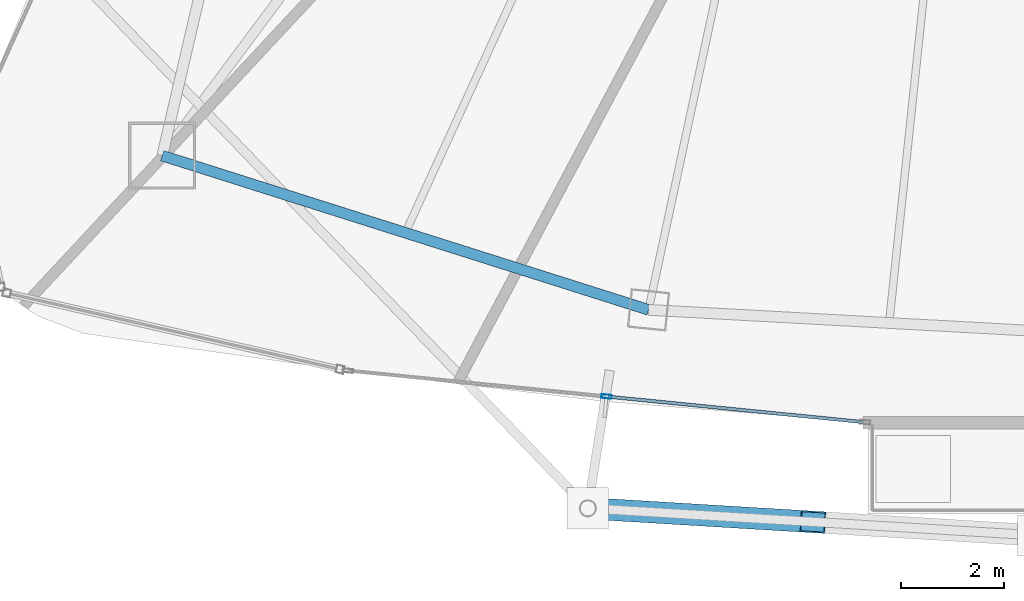
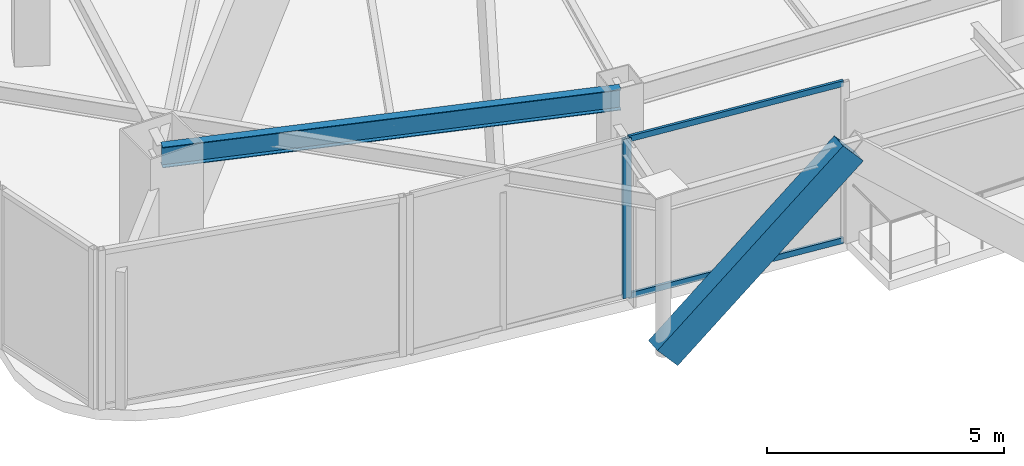
# One storey, part 3 of 25: 4 members, 1 beam, 1 element without a shape of its own.
"""IFC4 building model written with IfcOpenShell, lengths in metres."""

from ifc_helpers import new_model, si_unit, direction, frame, origin, origin_2d, place, context, subcontext, project, spatial, hollow_rectangle, i_section, extrude, material, layer, layer_set, material_profile, profile_set, type_object, element, aggregate, save


model = new_model("IFC4")

# Units and contexts
model_context = context("Model", 3, precision=1e-05, world=origin(), true_north=direction((0.0, 1.0)))
body_context = subcontext(model_context, "Body", "Model", "MODEL_VIEW")
ifc_project = project(units=[si_unit("LENGTHUNIT", "METRE"), si_unit("AREAUNIT", "SQUARE_METRE"), si_unit("VOLUMEUNIT", "CUBIC_METRE"), si_unit("PLANEANGLEUNIT", "RADIAN"), si_unit("MASSUNIT", "GRAM", prefix="KILO")], contexts=[model_context])

# Site, building, storey
site_placement = place(None, origin())
site = spatial("IfcSite", under=ifc_project, at=site_placement, CompositionType="ELEMENT")
building_placement = place(site_placement, origin())
building = spatial("IfcBuilding", under=site, at=building_placement, Name="Orvanel Arch Residences", CompositionType="ELEMENT")
storey_placement = place(building_placement, frame((0.0, 0.0, 236.0)))
storey = spatial("IfcBuildingStorey", under=building, at=storey_placement, Name="L67", CompositionType="ELEMENT", Elevation=236.0)

# Member
ifc_material_1 = material(Name="Structural steel AS/NZS 3678 Grade 350", Category="steel")
ifc_material_profile_1 = material_profile(ifc_material_1, hollow_rectangle(XDim=0.419921875, YDim=0.719970703125, WallThickness=0.02490234375, at=origin_2d()), Name="RHS720x420x25")
ifc_profile_set_1 = profile_set([ifc_material_profile_1], Name="Structural steel AS/NZS 3678 Grade 350")
member_type_1 = type_object("IfcMemberType", Name="BR-720RHS-EXT", PredefinedType="BRACE", material=ifc_profile_set_1)
member_1_placement = place(storey_placement, frame((22.469970703125, 3.498046875, 0.0), z_axis=(0.745120378604, -0.044989969288, 0.66541079346), x_axis=(0.060269702219, 0.99818212917, 0.0)))
element("IfcMember", 1, at=member_1_placement, inside=storey, type_object=member_type_1, Name="L67 Exterior Sky-Garden V-Frame Chevron F2B1.1", PredefinedType="BRACE", context=body_context, shape_type="SweptSolid", body=[
    extrude(hollow_rectangle(XDim=0.419921875, YDim=0.719970703125, WallThickness=0.02490234375, at=origin_2d()), origin(), (0.0, 0.0, 1.0), 5.87158203125),
])

# Curtain wall, member
ifc_material_2 = material(Name="Bronze-anodised aluminium AA6063-T6", Category="aluminium")
ifc_layer = layer(ifc_material_2, 0.195068359375)
ifc_layer_set = layer_set([ifc_layer], Name="Bronze-anodised aluminium AA6063-T6")
curtain_wall_type = type_object("IfcCurtainWallType", Name="CW6-COM-SYS", PredefinedType="NOTDEFINED", material=ifc_layer_set)
curtain_wall_placement = place(storey_placement, origin())
curtain_wall = element("IfcCurtainWall", 2, at=curtain_wall_placement, inside=storey, type_object=curtain_wall_type, Name="L67 CW6-COM-SYS Unitised Curtain Wall", PredefinedType="NOTDEFINED")
ifc_material_profile_2 = material_profile(ifc_material_2, hollow_rectangle(XDim=0.074951171875, YDim=0.199951171875, WallThickness=0.0048828125, at=origin_2d()), Name="ALU200x75x5")
ifc_profile_set_2 = profile_set([ifc_material_profile_2], Name="Bronze-anodised aluminium AA6063-T6")
member_type_2 = type_object("IfcMemberType", Name="MUL-200x75", PredefinedType="MULLION", material=ifc_profile_set_2)
member_2_placement = place(storey_placement, frame((22.833984375, 5.67041015625, 0.0), z_axis=(0.0, 0.0, 1.0), x_axis=(0.099153447023, 0.995072155144, 0.0)))
member_2 = element("IfcMember", 3, at=member_2_placement, type_object=member_type_2, Name="CW-S6 mullion 2", PredefinedType="MULLION", context=body_context, shape_type="SweptSolid", body=[
    extrude(hollow_rectangle(XDim=0.074951171875, YDim=0.199951171875, WallThickness=0.0048828125, at=origin_2d()), origin(), (0.0, 0.0, 1.0), 4.110107421875),
])

# Beam
ifc_material_3 = material(Name="Structural steel AS/NZS 3679.1 Grade 300 (300 MPa)", Category="steel")
ifc_material_profile_3 = material_profile(ifc_material_3, i_section(OverallWidth=0.208984375, OverallDepth=0.532958984375, WebThickness=0.01025390625, FlangeThickness=0.015625, at=origin_2d()), Name="530UB92.4")
ifc_profile_set_3 = profile_set([ifc_material_profile_3], Name="Structural steel AS/NZS 3679.1 Grade 300 (300 MPa)")
beam_type = type_object("IfcBeamType", Name="SP-530UB", PredefinedType="SPANDREL", material=ifc_profile_set_3)
beam_placement = place(storey_placement, frame((14.198974609375, 10.35107421875, 3.843994140625), z_axis=(0.953237386592, -0.302222574941, 0.0), x_axis=(0.302222574941, 0.953237386592, 0.0)))
element("IfcBeam", 4, at=beam_placement, inside=storey, type_object=beam_type, Name="L67 Perimeter Spandrel Beam 02", PredefinedType="SPANDREL", context=body_context, shape_type="SweptSolid", body=[
    extrude(i_section(OverallWidth=0.208984375, OverallDepth=0.532958984375, WebThickness=0.01025390625, FlangeThickness=0.015625, at=origin_2d()), origin(), (0.0, 0.0, 1.0), 9.91357421875),
])

# Member
ifc_material_profile_4 = material_profile(ifc_material_2, hollow_rectangle(XDim=0.06494140625, YDim=0.14990234375, WallThickness=0.00390625, at=origin_2d()), Name="ALU150x65x4")
ifc_profile_set_4 = profile_set([ifc_material_profile_4], Name="Bronze-anodised aluminium AA6063-T6")
member_type_3 = type_object("IfcMemberType", Name="TRN-150x65", PredefinedType="USERDEFINED", material=ifc_profile_set_4)
member_3_placement = place(storey_placement, frame((22.871337890625, 5.666748046875, 0.032470703125), z_axis=(0.995070656142, -0.099168489376, 0.0), x_axis=(0.099168489376, 0.995070656142, 0.0)))
member_3 = element("IfcMember", 5, at=member_3_placement, type_object=member_type_3, Name="CW-S6 transom 2.1", ObjectType="TRANSOM", PredefinedType="USERDEFINED", context=body_context, shape_type="SweptSolid", body=[
    extrude(hollow_rectangle(XDim=0.06494140625, YDim=0.14990234375, WallThickness=0.00390625, at=origin_2d()), origin(), (0.0, 0.0, 1.0), 4.975341796875),
])

member_4_placement = place(storey_placement, frame((22.871337890625, 5.666748046875, 4.077392578125), z_axis=(0.995070656142, -0.099168489376, 0.0), x_axis=(0.099168489376, 0.995070656142, 0.0)))
member_4 = element("IfcMember", 6, at=member_4_placement, type_object=member_type_3, Name="CW-S6 transom 2.2", ObjectType="TRANSOM", PredefinedType="USERDEFINED", context=body_context, shape_type="SweptSolid", body=[
    extrude(hollow_rectangle(XDim=0.06494140625, YDim=0.14990234375, WallThickness=0.00390625, at=origin_2d()), origin(), (0.0, 0.0, 1.0), 4.975341796875),
])

aggregate(curtain_wall, [member_2, member_3, member_4])

save(model, "model.ifc")
